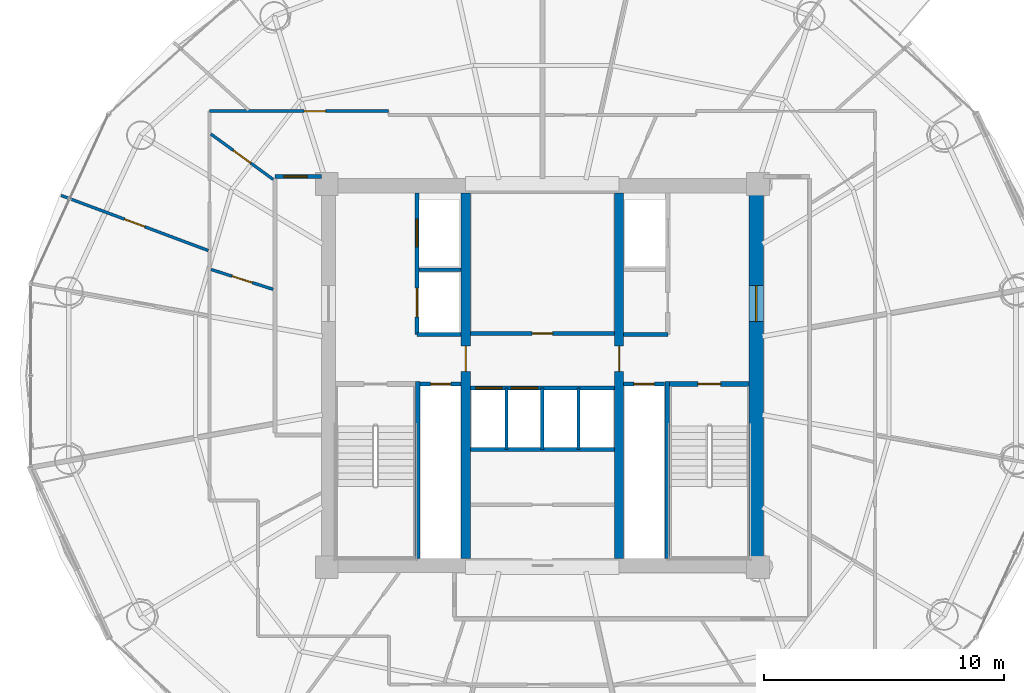
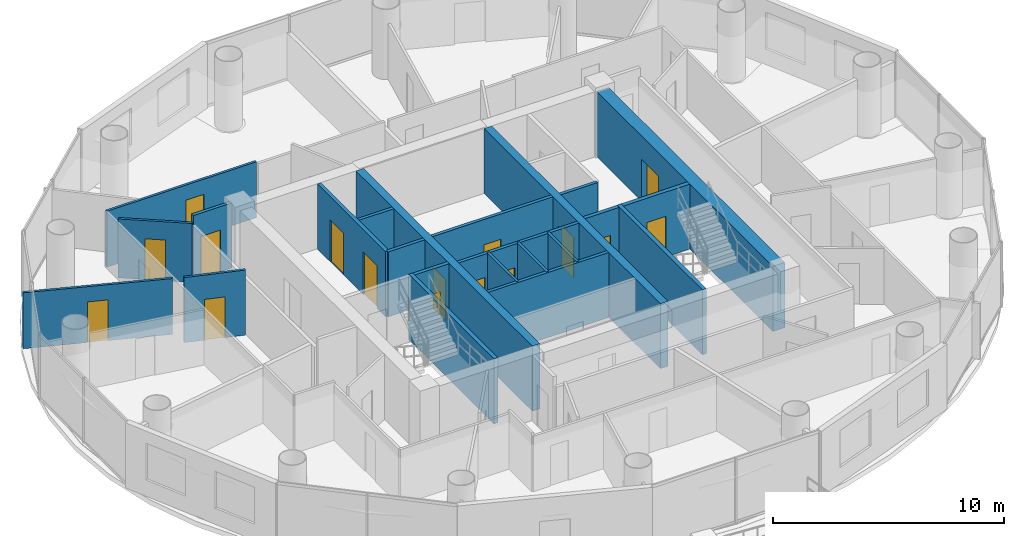
# One storey, part 21 of 27: 23 walls, 16 doors, 16 openings.
"""IFC4 building model written with IfcOpenShell, lengths in metres."""

from ifc_helpers import new_model, si_unit, direction, frame, frame_2d, origin, place, context, subcontext, project, spatial, rectangle, extrude, source, transform, mapped, material, layer, layer_set, type_object, element, fill, save


model = new_model("IFC4")

# Units and contexts
model_context = context("Model", 3, precision=1e-05, world=origin(), true_north=direction((-0.2419218956, 0.970295726276)))
body_context = subcontext(model_context, "Body", "Model", "MODEL_VIEW")
ifc_project = project(units=[si_unit("LENGTHUNIT", "METRE"), si_unit("AREAUNIT", "SQUARE_METRE"), si_unit("VOLUMEUNIT", "CUBIC_METRE"), si_unit("PLANEANGLEUNIT", "RADIAN"), si_unit("MASSUNIT", "GRAM", prefix="KILO")], contexts=[model_context])

# Site, building, storey
site_placement = place(None, origin())
site = spatial("IfcSite", under=ifc_project, at=site_placement, CompositionType="ELEMENT")
building_placement = place(site_placement, origin())
building = spatial("IfcBuilding", under=site, at=building_placement, Name="Cobrevalo Terracotta Tower", CompositionType="ELEMENT")
storey_placement = place(building_placement, frame((0.0, 0.0, 194.89990234375)))
storey = spatial("IfcBuildingStorey", under=building, at=storey_placement, Name="L51", CompositionType="ELEMENT", Elevation=194.89990234375)

# Wall, opening, door
ifc_material_1 = material(Name="Concrete C55", Category="concrete")
ifc_layer_1 = layer(ifc_material_1, 0.60009765625)
ifc_layer_set_1 = layer_set([ifc_layer_1], Name="Concrete C55")
wall_type_1 = type_object("IfcWallType", Name="Core shear wall 600 mm Concrete C55", PredefinedType="SHEAR", material=ifc_layer_set_1)
wall_1_placement = place(storey_placement, frame((46.925048828125, 19.175048828125, 0.0), z_axis=(0.0, 0.0, 1.0), x_axis=(0.0, 1.0, 0.0)))
wall_1 = element("IfcWall", 1, at=wall_1_placement, inside=storey, type_object=wall_type_1, Name="L51 east core shear wall", PredefinedType="SHEAR", context=body_context, shape_type="SweptSolid", body=[
    extrude(rectangle(XDim=15.25, YDim=0.60009765625, at=frame_2d((7.625, 0.0))), origin(), (0.0, 0.0, 1.0), 3.43505859375),
])
opening_1_placement = place(wall_1_placement, frame((9.875, 0.0, 0.0)))
opening_1 = element("IfcOpeningElement", 2, at=opening_1_placement, cuts=wall_1, Name="Opening ID-14", PredefinedType="OPENING", context=body_context, shape_type="SweptSolid", body=[
    extrude(rectangle(XDim=1.5, YDim=2.199951171875, at=frame_2d((0.75, 1.10009765625))), frame((0.0, 0.31005859375, 0.0), z_axis=(0.0, -1.0, 0.0), x_axis=(1.0, 0.0, 0.0)), (0.0, 0.0, 1.0), 0.6201171875),
])
ifc_material_2 = material(Name="Galvanized fire-rated steel", Category="steel")
door_type_1 = type_object("IfcDoorType", Name="Core cross-lobby double fire door 1500x2200 EI 90", OperationType="NOTDEFINED", PredefinedType="DOOR", material=ifc_material_2)
shared_shape_1 = source(origin(), body_context, "Body", "SweptSolid", [
    extrude(rectangle(XDim=1.5, YDim=2.199951171875, at=frame_2d((0.75, 1.10009765625))), frame((0.0, 0.02490234375, 0.0), z_axis=(0.0, -1.0, 0.0), x_axis=(1.0, 0.0, 0.0)), (0.0, 0.0, 1.0), 0.050048828125),
])
door_1_placement = place(opening_1_placement, frame((1.5, 0.0, 0.0), z_axis=(0.0, 0.0, 1.0), x_axis=(-1.0, 0.0, 0.0)))
door_1 = element("IfcDoor", 3, at=door_1_placement, inside=storey, type_object=door_type_1, Name="L51 east firefighting lobby entrance door", OperationType="DOUBLE_DOOR_SINGLE_SWING", OverallHeight=2.199951171875, OverallWidth=1.5, PredefinedType="DOOR", context=body_context, shape_type="MappedRepresentation", body=[
    mapped(shared_shape_1, transform((0.0, 0.0, 0.0), scale=1.0)),
])
fill(opening_1, door_1)

# Walls
ifc_material_3 = material(Name="Gypsum board on steel stud", Category="steel")
ifc_layer_2 = layer(ifc_material_3, 0.159912109375)
ifc_layer_set_2 = layer_set([ifc_layer_2], Name="Gypsum board on steel stud")
wall_type_2 = type_object("IfcWallType", Name="Fire-rated corridor acoustic partition wall 160 mm", PredefinedType="PARTITIONING", material=ifc_layer_set_2)
wall_2_placement = place(storey_placement, frame((32.860107421875, 31.219970703125, 0.0), z_axis=(0.0, 0.0, 1.0), x_axis=(1.0, 0.0, 0.0)))
element("IfcWall", 4, at=wall_2_placement, inside=storey, type_object=wall_type_2, Name="L51 interior partition IW-L51-FF1-M", PredefinedType="PARTITIONING", context=body_context, shape_type="SweptSolid", body=[
    extrude(rectangle(XDim=1.75, YDim=0.159912109375, at=frame_2d((0.875, 0.0))), origin(), (0.0, 0.0, 1.0), 3.43505859375),
])
for number, where, z_axis, x_axis, name in (
    (5, (32.77001953125, 28.52001953125, 0.0), (0.0, 0.0, 1.0), (1.0, 0.0, 0.0), "L51 interior partition IW-L51-FF1-S"),
    (6, (41.389892578125, 28.52001953125, 0.0), (0.0, 0.0, 1.0), (1.0, 0.0, 0.0), "L51 interior partition IW-L51-FF2-S"),
):
    element("IfcWall", number, at=place(storey_placement, frame(where, z_axis=z_axis, x_axis=x_axis)), inside=storey, type_object=wall_type_2, Name=name, PredefinedType="PARTITIONING", context=body_context, shape_type="SweptSolid", body=[
        extrude(rectangle(XDim=1.840087890625, YDim=0.159912109375, at=frame_2d((0.919921875, 0.0))), origin(), (0.0, 0.0, 1.0), 3.43505859375),
    ])

# Wall, opening, door
wall_3_placement = place(storey_placement, frame((34.989990234375, 28.56005859375, 0.0), z_axis=(0.0, 0.0, 1.0), x_axis=(1.0, 0.0, 0.0)))
wall_3 = element("IfcWall", 7, at=wall_3_placement, inside=storey, type_object=wall_type_2, Name="L51 interior partition IW-L51-LB-S", PredefinedType="PARTITIONING", context=body_context, shape_type="SweptSolid", body=[
    extrude(rectangle(XDim=6.02001953125, YDim=0.159912109375, at=frame_2d((3.010009765625, 0.0))), origin(), (0.0, 0.0, 1.0), 3.43505859375),
])
opening_2_placement = place(wall_3_placement, frame((2.5849609375, 0.0, 0.0)))
opening_2 = element("IfcOpeningElement", 8, at=opening_2_placement, cuts=wall_3, Name="Opening ID-22", PredefinedType="OPENING", context=body_context, shape_type="SweptSolid", body=[
    extrude(rectangle(XDim=0.85009765625, YDim=2.10009765625, at=frame_2d((0.425048828125, 1.050048828125))), frame((0.0, 0.08984375, 0.0), z_axis=(0.0, -1.0, 0.0), x_axis=(1.0, 0.0, 0.0)), (0.0, 0.0, 1.0), 0.179931640625),
])
ifc_material_4 = material(Name="Powder-coated steel", Category="steel")
door_type_2 = type_object("IfcDoorType", Name="Riser shaft & meter closet fire access door 850x2100 EI 60", OperationType="NOTDEFINED", PredefinedType="DOOR", material=ifc_material_4)
shared_shape_2 = source(origin(), body_context, "Body", "SweptSolid", [
    extrude(rectangle(XDim=0.85009765625, YDim=2.10009765625, at=frame_2d((0.425048828125, 1.050048828125))), frame((0.0, 0.02490234375, 0.0), z_axis=(0.0, -1.0, 0.0), x_axis=(1.0, 0.0, 0.0)), (0.0, 0.0, 1.0), 0.050048828125),
])
door_2_placement = place(opening_2_placement, origin())
door_2 = element("IfcDoor", 9, at=door_2_placement, inside=storey, type_object=door_type_2, Name="L51 core service door Floor Electrical Switchroom", OperationType="SINGLE_SWING_LEFT", OverallHeight=2.10009765625, OverallWidth=0.85009765625, PredefinedType="DOOR", context=body_context, shape_type="MappedRepresentation", body=[
    mapped(shared_shape_2, transform((0.0, 0.0, 0.0), scale=1.0)),
])
fill(opening_2, door_2)

# Wall, openings, doors
wall_4_placement = place(storey_placement, frame((34.989990234375, 26.280029296875, 0.0), z_axis=(0.0, 0.0, 1.0), x_axis=(1.0, 0.0, 0.0)))
wall_4 = element("IfcWall", 10, at=wall_4_placement, inside=storey, type_object=wall_type_2, Name="L51 interior partition IW-L51-MB-N", PredefinedType="PARTITIONING", context=body_context, shape_type="SweptSolid", body=[
    extrude(rectangle(XDim=6.02001953125, YDim=0.159912109375, at=frame_2d((3.010009765625, 0.0))), origin(), (0.0, 0.0, 1.0), 3.43505859375),
])
opening_3_placement = place(wall_4_placement, frame((0.22509765625, 0.0, 0.0)))
opening_3 = element("IfcOpeningElement", 11, at=opening_3_placement, cuts=wall_4, Name="Opening LD-01", PredefinedType="OPENING", context=body_context, shape_type="SweptSolid", body=[
    extrude(rectangle(XDim=1.10009765625, YDim=2.199951171875, at=frame_2d((0.550048828125, 1.10009765625))), frame((0.0, 0.08984375, 0.0), z_axis=(0.0, -1.0, 0.0), x_axis=(1.0, 0.0, 0.0)), (0.0, 0.0, 1.0), 0.179931640625),
])
opening_4_placement = place(wall_4_placement, frame((1.705078125, 0.0, 0.0)))
opening_4 = element("IfcOpeningElement", 12, at=opening_4_placement, cuts=wall_4, Name="Opening LD-01", PredefinedType="OPENING", context=body_context, shape_type="SweptSolid", body=[
    extrude(rectangle(XDim=1.10009765625, YDim=2.199951171875, at=frame_2d((0.550048828125, 1.10009765625))), frame((0.0, 0.08984375, 0.0), z_axis=(0.0, -1.0, 0.0), x_axis=(1.0, 0.0, 0.0)), (0.0, 0.0, 1.0), 0.179931640625),
])
ifc_material_5 = material(Name="Brushed stainless steel", Category="steel")
door_type_3 = type_object("IfcDoorType", Name="Passenger lift landing bi-parting sliding door 1100x2200 EI 90", OperationType="DOUBLE_DOOR_SLIDING", PredefinedType="DOOR", material=ifc_material_5)
shared_shape_3 = source(origin(), body_context, "Body", "SweptSolid", [
    extrude(rectangle(XDim=1.10009765625, YDim=2.199951171875, at=frame_2d((0.550048828125, 1.10009765625))), frame((0.0, 0.02490234375, 0.0), z_axis=(0.0, -1.0, 0.0), x_axis=(1.0, 0.0, 0.0)), (0.0, 0.0, 1.0), 0.050048828125),
])
door_3_placement = place(opening_3_placement, origin())
door_3 = element("IfcDoor", 13, at=door_3_placement, inside=storey, type_object=door_type_3, Name="L51 lift landing door PL-M1", OperationType="DOUBLE_DOOR_SLIDING", OverallHeight=2.199951171875, OverallWidth=1.10009765625, PredefinedType="DOOR", context=body_context, shape_type="MappedRepresentation", body=[
    mapped(shared_shape_3, transform((0.0, 0.0, 0.0), scale=1.0)),
])
fill(opening_3, door_3)
door_4_placement = place(opening_4_placement, origin())
door_4 = element("IfcDoor", 14, at=door_4_placement, inside=storey, type_object=door_type_3, Name="L51 lift landing door PL-M2", OperationType="DOUBLE_DOOR_SLIDING", OverallHeight=2.199951171875, OverallWidth=1.10009765625, PredefinedType="DOOR", context=body_context, shape_type="MappedRepresentation", body=[
    mapped(shared_shape_3, transform((0.0, 0.0, 0.0), scale=1.0)),
])
fill(opening_4, door_4)

# Wall
wall_5_placement = place(storey_placement, frame((34.989990234375, 23.719970703125, 0.0), z_axis=(0.0, 0.0, 1.0), x_axis=(1.0, 0.0, 0.0)))
element("IfcWall", 15, at=wall_5_placement, inside=storey, type_object=wall_type_2, Name="L51 interior partition IW-L51-MB-S", PredefinedType="PARTITIONING", context=body_context, shape_type="SweptSolid", body=[
    extrude(rectangle(XDim=6.02001953125, YDim=0.159912109375, at=frame_2d((3.010009765625, 0.0))), origin(), (0.0, 0.0, 1.0), 3.43505859375),
])

# Wall, opening, door
wall_6_placement = place(storey_placement, frame((26.844970703125, 35.10498046875, 0.0), z_axis=(0.0, 0.0, 1.0), x_axis=(1.0, 0.0, 0.0)))
wall_6 = element("IfcWall", 16, at=wall_6_placement, inside=storey, type_object=wall_type_2, Name="L51 interior partition IW-L51-COR-WN-CAP", PredefinedType="PARTITIONING", context=body_context, shape_type="SweptSolid", body=[
    extrude(rectangle(XDim=1.929931640625, YDim=0.159912109375, at=frame_2d((0.96484375, 0.0))), origin(), (0.0, 0.0, 1.0), 3.43505859375),
])
opening_5_placement = place(wall_6_placement, frame((0.3701171875, 0.0, 0.0)))
opening_5 = element("IfcOpeningElement", 17, at=opening_5_placement, cuts=wall_6, Name="Opening ID-05", PredefinedType="OPENING", context=body_context, shape_type="SweptSolid", body=[
    extrude(rectangle(XDim=0.97998046875, YDim=2.199951171875, at=frame_2d((0.489990234375, 1.10009765625))), frame((0.0, 0.08984375, 0.0), z_axis=(0.0, -1.0, 0.0), x_axis=(1.0, 0.0, 0.0)), (0.0, 0.0, 1.0), 0.179931640625),
])
ifc_material_6 = material(Name="Solid hardwood timber", Category="wood")
door_type_4 = type_object("IfcDoorType", Name="Residence entrance fire-rated acoustic timber door 980x2200 EI 60", OperationType="NOTDEFINED", PredefinedType="DOOR", material=ifc_material_6)
shared_shape_4 = source(origin(), body_context, "Body", "SweptSolid", [
    extrude(rectangle(XDim=0.97998046875, YDim=2.199951171875, at=frame_2d((0.489990234375, 1.10009765625))), frame((0.0, 0.02490234375, 0.0), z_axis=(0.0, -1.0, 0.0), x_axis=(1.0, 0.0, 0.0)), (0.0, 0.0, 1.0), 0.050048828125),
])
door_5_placement = place(opening_5_placement, origin())
door_5 = element("IfcDoor", 18, at=door_5_placement, inside=storey, type_object=door_type_4, Name="Flat L51B fire-rated apartment entrance door", OperationType="SINGLE_SWING_LEFT", OverallHeight=2.199951171875, OverallWidth=0.97998046875, PredefinedType="DOOR", context=body_context, shape_type="MappedRepresentation", body=[
    mapped(shared_shape_4, transform((0.0, 0.0, 0.0), scale=1.0)),
])
fill(opening_5, door_5)

ifc_layer_3 = layer(ifc_material_3, 0.179931640625)
ifc_layer_set_3 = layer_set([ifc_layer_3], Name="Gypsum board on steel stud")
wall_type_3 = type_object("IfcWallType", Name="Fire-rated shaft & lobby acoustic partition wall 180 mm", PredefinedType="PARTITIONING", material=ifc_layer_set_3)
wall_7_placement = place(storey_placement, frame((32.89990234375, 26.449951171875, 0.0), z_axis=(0.0, 0.0, 1.0), x_axis=(1.0, 0.0, 0.0)))
wall_7 = element("IfcWall", 19, at=wall_7_placement, inside=storey, type_object=wall_type_3, Name="L51 interior partition IW-L51-RSW-N", PredefinedType="PARTITIONING", context=body_context, shape_type="SweptSolid", body=[
    extrude(rectangle(XDim=1.710205078125, YDim=0.179931640625, at=frame_2d((0.85498046875, 0.0))), origin(), (0.0, 0.0, 1.0), 3.43505859375),
])
opening_6_placement = place(wall_7_placement, frame((0.429931640625, 0.0, 0.0)))
opening_6 = element("IfcOpeningElement", 20, at=opening_6_placement, cuts=wall_7, Name="Opening ID-22", PredefinedType="OPENING", context=body_context, shape_type="SweptSolid", body=[
    extrude(rectangle(XDim=0.85009765625, YDim=2.10009765625, at=frame_2d((0.425048828125, 1.050048828125))), frame((0.0, 0.10009765625, 0.0), z_axis=(0.0, -1.0, 0.0), x_axis=(1.0, 0.0, 0.0)), (0.0, 0.0, 1.0), 0.199951171875),
])
door_6_placement = place(opening_6_placement, origin())
door_6 = element("IfcDoor", 21, at=door_6_placement, inside=storey, type_object=door_type_2, Name="L51 riser access door RSW", OperationType="SINGLE_SWING_LEFT", OverallHeight=2.10009765625, OverallWidth=0.85009765625, PredefinedType="DOOR", context=body_context, shape_type="MappedRepresentation", body=[
    mapped(shared_shape_2, transform((0.0, 0.0, 0.0), scale=1.0)),
])
fill(opening_6, door_6)

wall_8_placement = place(storey_placement, frame((41.389892578125, 26.449951171875, 0.0), z_axis=(0.0, 0.0, 1.0), x_axis=(1.0, 0.0, 0.0)))
wall_8 = element("IfcWall", 22, at=wall_8_placement, inside=storey, type_object=wall_type_3, Name="L51 interior partition IW-L51-RSE-N", PredefinedType="PARTITIONING", context=body_context, shape_type="SweptSolid", body=[
    extrude(rectangle(XDim=1.710205078125, YDim=0.179931640625, at=frame_2d((0.85498046875, 0.0))), origin(), (0.0, 0.0, 1.0), 3.43505859375),
])
opening_7_placement = place(wall_8_placement, frame((0.429931640625, 0.0, 0.0)))
opening_7 = element("IfcOpeningElement", 23, at=opening_7_placement, cuts=wall_8, Name="Opening ID-22", PredefinedType="OPENING", context=body_context, shape_type="SweptSolid", body=[
    extrude(rectangle(XDim=0.85009765625, YDim=2.10009765625, at=frame_2d((0.425048828125, 1.050048828125))), frame((0.0, 0.10009765625, 0.0), z_axis=(0.0, -1.0, 0.0), x_axis=(1.0, 0.0, 0.0)), (0.0, 0.0, 1.0), 0.199951171875),
])
door_7_placement = place(opening_7_placement, origin())
door_7 = element("IfcDoor", 24, at=door_7_placement, inside=storey, type_object=door_type_2, Name="L51 riser access door RSE", OperationType="SINGLE_SWING_RIGHT", OverallHeight=2.10009765625, OverallWidth=0.85009765625, PredefinedType="DOOR", context=body_context, shape_type="MappedRepresentation", body=[
    mapped(shared_shape_2, transform((0.0, 0.0, 0.0), scale=1.0)),
])
fill(opening_7, door_7)

# Wall, openings, doors
wall_9_placement = place(storey_placement, frame((32.77001953125, 28.52001953125, 0.0), z_axis=(0.0, 0.0, 1.0), x_axis=(0.0, 1.0, 0.0)))
wall_9 = element("IfcWall", 25, at=wall_9_placement, inside=storey, type_object=wall_type_3, Name="L51 interior partition IW-L51-FF1-W", PredefinedType="PARTITIONING", context=body_context, shape_type="SweptSolid", body=[
    extrude(rectangle(XDim=5.905029296875, YDim=0.179931640625, at=frame_2d((2.95263671875, 0.0))), origin(), (0.0, 0.0, 1.0), 3.43505859375),
])
opening_8_placement = place(wall_9_placement, frame((3.655029296875, 0.0, 0.0)))
opening_8 = element("IfcOpeningElement", 26, at=opening_8_placement, cuts=wall_9, Name="Opening LD-02", PredefinedType="OPENING", context=body_context, shape_type="SweptSolid", body=[
    extrude(rectangle(XDim=1.14990234375, YDim=2.199951171875, at=frame_2d((0.574951171875, 1.10009765625))), frame((0.0, 0.10009765625, 0.0), z_axis=(0.0, -1.0, 0.0), x_axis=(1.0, 0.0, 0.0)), (0.0, 0.0, 1.0), 0.199951171875),
])
opening_9_placement = place(wall_9_placement, frame((0.72998046875, 0.0, 0.0)))
opening_9 = element("IfcOpeningElement", 27, at=opening_9_placement, cuts=wall_9, Name="Opening LD-03", PredefinedType="OPENING", context=body_context, shape_type="SweptSolid", body=[
    extrude(rectangle(XDim=1.199951171875, YDim=2.25, at=frame_2d((0.60009765625, 1.125))), frame((0.0, 0.10009765625, 0.0), z_axis=(0.0, -1.0, 0.0), x_axis=(1.0, 0.0, 0.0)), (0.0, 0.0, 1.0), 0.199951171875),
])
door_type_5 = type_object("IfcDoorType", Name="Firefighting lift landing bi-parting sliding door 1150x2200 EI 120", OperationType="DOUBLE_DOOR_SLIDING", PredefinedType="DOOR", material=ifc_material_5)
shared_shape_5 = source(origin(), body_context, "Body", "SweptSolid", [
    extrude(rectangle(XDim=1.14990234375, YDim=2.199951171875, at=frame_2d((0.574951171875, 1.10009765625))), frame((0.0, 0.02490234375, 0.0), z_axis=(0.0, -1.0, 0.0), x_axis=(1.0, 0.0, 0.0)), (0.0, 0.0, 1.0), 0.050048828125),
])
door_8_placement = place(opening_8_placement, origin())
door_8 = element("IfcDoor", 28, at=door_8_placement, inside=storey, type_object=door_type_5, Name="L51 lift landing door FF-1", OperationType="DOUBLE_DOOR_SLIDING", OverallHeight=2.199951171875, OverallWidth=1.14990234375, PredefinedType="DOOR", context=body_context, shape_type="MappedRepresentation", body=[
    mapped(shared_shape_5, transform((0.0, 0.0, 0.0), scale=1.0)),
])
fill(opening_8, door_8)
door_type_6 = type_object("IfcDoorType", Name="Service lift landing bi-parting sliding door 1200x2250 EI 120", OperationType="DOUBLE_DOOR_SLIDING", PredefinedType="DOOR", material=ifc_material_5)
shared_shape_6 = source(origin(), body_context, "Body", "SweptSolid", [
    extrude(rectangle(XDim=1.199951171875, YDim=2.25, at=frame_2d((0.60009765625, 1.125))), frame((0.0, 0.02490234375, 0.0), z_axis=(0.0, -1.0, 0.0), x_axis=(1.0, 0.0, 0.0)), (0.0, 0.0, 1.0), 0.050048828125),
])
door_9_placement = place(opening_9_placement, origin())
door_9 = element("IfcDoor", 29, at=door_9_placement, inside=storey, type_object=door_type_6, Name="L51 lift landing door SV-1", OperationType="DOUBLE_DOOR_SLIDING", OverallHeight=2.25, OverallWidth=1.199951171875, PredefinedType="DOOR", context=body_context, shape_type="MappedRepresentation", body=[
    mapped(shared_shape_6, transform((0.0, 0.0, 0.0), scale=1.0)),
])
fill(opening_9, door_9)

# Walls
ifc_material_7 = material(Name="Autoclaved aerated concrete block", Category="concrete")
ifc_layer_4 = layer(ifc_material_7, 0.1201171875)
ifc_layer_set_4 = layer_set([ifc_layer_4], Name="Autoclaved aerated concrete block")
wall_type_4 = type_object("IfcWallType", Name="Fire-rated wet-room & core service partition 120 mm", PredefinedType="PARTITIONING", material=ifc_layer_set_4)
for number, where, z_axis, x_axis, name in (
    (30, (36.5, 23.719970703125, 0.0), (0.0, 0.0, 1.0), (0.0, 1.0, 0.0), "L51 interior partition IW-L51-MB-D1"),
    (31, (39.5, 23.719970703125, 0.0), (0.0, 0.0, 1.0), (0.0, 1.0, 0.0), "L51 interior partition IW-L51-MB-D3"),
):
    element("IfcWall", number, at=place(storey_placement, frame(where, z_axis=z_axis, x_axis=x_axis)), inside=storey, type_object=wall_type_4, Name=name, PredefinedType="PARTITIONING", context=body_context, shape_type="SweptSolid", body=[
        extrude(rectangle(XDim=2.56005859375, YDim=0.1201171875, at=frame_2d((1.280029296875, 0.0))), origin(), (0.0, 0.0, 1.0), 3.43505859375),
    ])

# Wall, opening, door
ifc_material_8 = material(Name="Concrete C50", Category="concrete")
ifc_layer_5 = layer(ifc_material_8, 0.3798828125)
ifc_layer_set_5 = layer_set([ifc_layer_5], Name="Concrete C50")
wall_type_5 = type_object("IfcWallType", Name="Internal core shear web wall 380 mm Concrete C50", PredefinedType="SHEAR", material=ifc_layer_set_5)
wall_10_placement = place(storey_placement, frame((34.800048828125, 19.175048828125, 0.0), z_axis=(0.0, 0.0, 1.0), x_axis=(0.0, 1.0, 0.0)))
wall_10 = element("IfcWall", 32, at=wall_10_placement, inside=storey, type_object=wall_type_5, Name="L51 internal core shear wall WEB-W", PredefinedType="SHEAR", context=body_context, shape_type="SweptSolid", body=[
    extrude(rectangle(XDim=15.25, YDim=0.3798828125, at=frame_2d((7.625, 0.0))), origin(), (0.0, 0.0, 1.0), 3.43505859375),
])
opening_10_placement = place(wall_10_placement, frame((7.800048828125, 0.0, 0.0)))
opening_10 = element("IfcOpeningElement", 33, at=opening_10_placement, cuts=wall_10, Name="Opening ID-11", PredefinedType="OPENING", context=body_context, shape_type="SweptSolid", body=[
    extrude(rectangle(XDim=1.050048828125, YDim=2.14990234375, at=frame_2d((0.52490234375, 1.074951171875))), frame((0.0, 0.199951171875, 0.0), z_axis=(0.0, -1.0, 0.0), x_axis=(1.0, 0.0, 0.0)), (0.0, 0.0, 1.0), 0.39990234375),
])
door_type_7 = type_object("IfcDoorType", Name="Core concourse cross fire door 1050x2150 EI 90", OperationType="NOTDEFINED", PredefinedType="DOOR", material=ifc_material_2)
shared_shape_7 = source(origin(), body_context, "Body", "SweptSolid", [
    extrude(rectangle(XDim=1.050048828125, YDim=2.14990234375, at=frame_2d((0.52490234375, 1.074951171875))), frame((0.0, 0.02490234375, 0.0), z_axis=(0.0, -1.0, 0.0), x_axis=(1.0, 0.0, 0.0)), (0.0, 0.0, 1.0), 0.050048828125),
])
door_10_placement = place(opening_10_placement, origin())
door_10 = element("IfcDoor", 34, at=door_10_placement, inside=storey, type_object=door_type_7, Name="L51 west core concourse cross door", OperationType="SINGLE_SWING_LEFT", OverallHeight=2.14990234375, OverallWidth=1.050048828125, PredefinedType="DOOR", context=body_context, shape_type="MappedRepresentation", body=[
    mapped(shared_shape_7, transform((0.0, 0.0, 0.0), scale=1.0)),
])
fill(opening_10, door_10)

wall_11_placement = place(storey_placement, frame((41.199951171875, 19.175048828125, 0.0), z_axis=(0.0, 0.0, 1.0), x_axis=(0.0, 1.0, 0.0)))
wall_11 = element("IfcWall", 35, at=wall_11_placement, inside=storey, type_object=wall_type_5, Name="L51 internal core shear wall WEB-E", PredefinedType="SHEAR", context=body_context, shape_type="SweptSolid", body=[
    extrude(rectangle(XDim=15.25, YDim=0.3798828125, at=frame_2d((7.625, 0.0))), origin(), (0.0, 0.0, 1.0), 3.43505859375),
])
opening_11_placement = place(wall_11_placement, frame((7.800048828125, 0.0, 0.0)))
opening_11 = element("IfcOpeningElement", 36, at=opening_11_placement, cuts=wall_11, Name="Opening ID-11", PredefinedType="OPENING", context=body_context, shape_type="SweptSolid", body=[
    extrude(rectangle(XDim=1.050048828125, YDim=2.14990234375, at=frame_2d((0.52490234375, 1.074951171875))), frame((0.0, 0.199951171875, 0.0), z_axis=(0.0, -1.0, 0.0), x_axis=(1.0, 0.0, 0.0)), (0.0, 0.0, 1.0), 0.39990234375),
])
door_11_placement = place(opening_11_placement, frame((1.050048828125, 0.0, 0.0), z_axis=(0.0, 0.0, 1.0), x_axis=(-1.0, 0.0, 0.0)))
door_11 = element("IfcDoor", 37, at=door_11_placement, inside=storey, type_object=door_type_7, Name="L51 east core concourse cross door", OperationType="SINGLE_SWING_RIGHT", OverallHeight=2.14990234375, OverallWidth=1.050048828125, PredefinedType="DOOR", context=body_context, shape_type="MappedRepresentation", body=[
    mapped(shared_shape_7, transform((0.0, 0.0, 0.0), scale=1.0)),
])
fill(opening_11, door_11)

# Wall
ifc_layer_6 = layer(ifc_material_7, 0.139892578125)
ifc_layer_set_6 = layer_set([ifc_layer_6], Name="Autoclaved aerated concrete block")
wall_type_6 = type_object("IfcWallType", Name="Moisture-resistant wet-room & core service partition 140 mm", PredefinedType="PARTITIONING", material=ifc_layer_set_6)
wall_12_placement = place(storey_placement, frame((38.0, 23.719970703125, 0.0), z_axis=(0.0, 0.0, 1.0), x_axis=(0.0, 1.0, 0.0)))
element("IfcWall", 38, at=wall_12_placement, inside=storey, type_object=wall_type_6, Name="L51 interior partition IW-L51-MB-D2", PredefinedType="PARTITIONING", context=body_context, shape_type="SweptSolid", body=[
    extrude(rectangle(XDim=2.56005859375, YDim=0.139892578125, at=frame_2d((1.280029296875, 0.0))), origin(), (0.0, 0.0, 1.0), 3.43505859375),
])

# Wall, opening, door
ifc_layer_7 = layer(ifc_material_3, 0.1201171875)
ifc_layer_set_7 = layer_set([ifc_layer_7], Name="Gypsum board on steel stud")
wall_type_7 = type_object("IfcWallType", Name="Residential internal acoustic stud partition 120 mm", PredefinedType="PARTITIONING", material=ifc_layer_set_7)
wall_13_placement = place(storey_placement, frame((24.114990234375, 37.8349609375, 0.0), z_axis=(0.0, 0.0, 1.0), x_axis=(1.0, 0.0, 0.0)))
wall_13 = element("IfcWall", 39, at=wall_13_placement, inside=storey, type_object=wall_type_7, Name="L51 interior partition IW-L51-U2-RING1_0", PredefinedType="PARTITIONING", context=body_context, shape_type="SweptSolid", body=[
    extrude(rectangle(XDim=7.469970703125, YDim=0.1201171875, at=frame_2d((3.73486328125, 0.0))), origin(), (0.0, 0.0, 1.0), 2.951171875),
])
opening_12_placement = place(wall_13_placement, frame((3.94287109375, 0.0, 0.0)))
opening_12 = element("IfcOpeningElement", 40, at=opening_12_placement, cuts=wall_13, Name="Opening ID-12", PredefinedType="OPENING", context=body_context, shape_type="SweptSolid", body=[
    extrude(rectangle(XDim=0.89990234375, YDim=2.14990234375, at=frame_2d((0.449951171875, 1.074951171875))), frame((0.0, 0.070068359375, 0.0), z_axis=(0.0, -1.0, 0.0), x_axis=(1.0, 0.0, 0.0)), (0.0, 0.0, 1.0), 0.14013671875),
])
ifc_material_9 = material(Name="Engineered timber", Category="wood")
door_type_8 = type_object("IfcDoorType", Name="Internal residence & suite timber door 900x2150", OperationType="NOTDEFINED", PredefinedType="DOOR", material=ifc_material_9)
shared_shape_8 = source(origin(), body_context, "Body", "SweptSolid", [
    extrude(rectangle(XDim=0.89990234375, YDim=2.14990234375, at=frame_2d((0.449951171875, 1.074951171875))), frame((0.0, 0.02490234375, 0.0), z_axis=(0.0, -1.0, 0.0), x_axis=(1.0, 0.0, 0.0)), (0.0, 0.0, 1.0), 0.050048828125),
])
door_12_placement = place(opening_12_placement, origin())
door_12 = element("IfcDoor", 41, at=door_12_placement, inside=storey, type_object=door_type_8, Name="Flat L51B Penthouse Living and Dining Room internal door", OperationType="SINGLE_SWING_LEFT", OverallHeight=2.14990234375, OverallWidth=0.89990234375, PredefinedType="DOOR", context=body_context, shape_type="MappedRepresentation", body=[
    mapped(shared_shape_8, transform((0.0, 0.0, 0.0), scale=1.0)),
])
fill(opening_12, door_12)

wall_14_placement = place(storey_placement, frame((24.056884765625, 32.01904296875, 0.0), z_axis=(0.0, 0.0, 1.0), x_axis=(-0.936540194592, 0.350560214389, 0.0)))
wall_14 = element("IfcWall", 42, at=wall_14_placement, inside=storey, type_object=wall_type_7, Name="L51 interior partition IW-L51-U2-ORAD2", PredefinedType="PARTITIONING", context=body_context, shape_type="SweptSolid", body=[
    extrude(rectangle(XDim=6.55615234375, YDim=0.1201171875, at=frame_2d((3.278076171875, 0.0))), origin(), (0.0, 0.0, 1.0), 2.951171875),
])
opening_13_placement = place(wall_14_placement, frame((2.828125, 0.0, 0.0)))
opening_13 = element("IfcOpeningElement", 43, at=opening_13_placement, cuts=wall_14, Name="Opening ID-12", PredefinedType="OPENING", context=body_context, shape_type="SweptSolid", body=[
    extrude(rectangle(XDim=0.89990234375, YDim=2.14990234375, at=frame_2d((0.449951171875, 1.074951171875))), frame((0.0, 0.070068359375, 0.0), z_axis=(0.0, -1.0, 0.0), x_axis=(1.0, 0.0, 0.0)), (0.0, 0.0, 1.0), 0.14013671875),
])
door_13_placement = place(opening_13_placement, origin())
door_13 = element("IfcDoor", 44, at=door_13_placement, inside=storey, type_object=door_type_8, Name="Flat L51B Principal Guest Bedroom internal door", OperationType="SINGLE_SWING_LEFT", OverallHeight=2.14990234375, OverallWidth=0.89990234375, PredefinedType="DOOR", context=body_context, shape_type="MappedRepresentation", body=[
    mapped(shared_shape_8, transform((0.0, 0.0, 0.0), scale=1.0)),
])
fill(opening_13, door_13)

wall_15_placement = place(storey_placement, frame((26.764892578125, 34.986083984375, 0.0), z_axis=(0.0, 0.0, 1.0), x_axis=(-0.808220499107, 0.588879974887, 0.0)))
wall_15 = element("IfcWall", 45, at=wall_15_placement, inside=storey, type_object=wall_type_7, Name="L51 interior partition IW-L51-U2-IRAD2", PredefinedType="PARTITIONING", context=body_context, shape_type="SweptSolid", body=[
    extrude(rectangle(XDim=3.216796875, YDim=0.1201171875, at=frame_2d((1.6083984375, 0.0))), origin(), (0.0, 0.0, 1.0), 3.110107421875),
])
opening_14_placement = place(wall_15_placement, frame((1.158447265625, 0.0, 0.0)))
opening_14 = element("IfcOpeningElement", 46, at=opening_14_placement, cuts=wall_15, Name="Opening ID-12", PredefinedType="OPENING", context=body_context, shape_type="SweptSolid", body=[
    extrude(rectangle(XDim=0.89990234375, YDim=2.14990234375, at=frame_2d((0.449951171875, 1.074951171875))), frame((0.0, 0.070068359375, 0.0), z_axis=(0.0, -1.0, 0.0), x_axis=(1.0, 0.0, 0.0)), (0.0, 0.0, 1.0), 0.14013671875),
])
door_14_placement = place(opening_14_placement, origin())
door_14 = element("IfcDoor", 47, at=door_14_placement, inside=storey, type_object=door_type_8, Name="Flat L51B Kitchen internal door", OperationType="SINGLE_SWING_RIGHT", OverallHeight=2.14990234375, OverallWidth=0.89990234375, PredefinedType="DOOR", context=body_context, shape_type="MappedRepresentation", body=[
    mapped(shared_shape_8, transform((0.0, 0.0, 0.0), scale=1.0)),
])
fill(opening_14, door_14)

wall_16_placement = place(storey_placement, frame((26.764892578125, 30.399658203125, 0.0), z_axis=(0.0, 0.0, 1.0), x_axis=(-0.952315722301, 0.305114347514, 0.0)))
wall_16 = element("IfcWall", 48, at=wall_16_placement, inside=storey, type_object=wall_type_7, Name="L51 interior partition IW-L51-U2-IRAD3", PredefinedType="PARTITIONING", context=body_context, shape_type="SweptSolid", body=[
    extrude(rectangle(XDim=2.720458984375, YDim=0.1201171875, at=frame_2d((1.3603515625, 0.0))), origin(), (0.0, 0.0, 1.0), 3.43505859375),
])
opening_15_placement = place(wall_16_placement, frame((0.910400390625, 0.0, 0.0)))
opening_15 = element("IfcOpeningElement", 49, at=opening_15_placement, cuts=wall_16, Name="Opening ID-12", PredefinedType="OPENING", context=body_context, shape_type="SweptSolid", body=[
    extrude(rectangle(XDim=0.89990234375, YDim=2.14990234375, at=frame_2d((0.449951171875, 1.074951171875))), frame((0.0, 0.070068359375, 0.0), z_axis=(0.0, -1.0, 0.0), x_axis=(1.0, 0.0, 0.0)), (0.0, 0.0, 1.0), 0.14013671875),
])
door_15_placement = place(opening_15_placement, origin())
door_15 = element("IfcDoor", 50, at=door_15_placement, inside=storey, type_object=door_type_8, Name="Flat L51B Home Office Study internal door", OperationType="SINGLE_SWING_LEFT", OverallHeight=2.14990234375, OverallWidth=0.89990234375, PredefinedType="DOOR", context=body_context, shape_type="MappedRepresentation", body=[
    mapped(shared_shape_8, transform((0.0, 0.0, 0.0), scale=1.0)),
])
fill(opening_15, door_15)

# Walls
ifc_layer_8 = layer(ifc_material_8, 0.199951171875)
ifc_layer_set_8 = layer_set([ifc_layer_8], Name="Concrete C50")
wall_type_8 = type_object("IfcWallType", Name="Structural core & podium stair-shaft RC wall 200 mm Concrete C50", PredefinedType="SOLIDWALL", material=ifc_layer_set_8)
for number, where, z_axis, x_axis, name in (
    (51, (32.794921875, 19.175048828125, 0.0), (0.0, 0.0, 1.0), (0.0, 1.0, 0.0), "L51 ST-1 east structural shaft wall"),
    (52, (43.205078125, 19.175048828125, 0.0), (0.0, 0.0, 1.0), (0.0, 1.0, 0.0), "L51 ST-2 west structural shaft wall"),
):
    element("IfcWall", number, at=place(storey_placement, frame(where, z_axis=z_axis, x_axis=x_axis)), inside=storey, type_object=wall_type_8, Name=name, PredefinedType="SOLIDWALL", context=body_context, shape_type="SweptSolid", body=[
        extrude(rectangle(XDim=7.375, YDim=0.199951171875, at=frame_2d((3.6875, 0.0))), origin(), (0.0, 0.0, 1.0), 3.43505859375),
    ])

# Wall, opening, door
wall_17_placement = place(storey_placement, frame((43.304931640625, 26.449951171875, 0.0), z_axis=(0.0, 0.0, 1.0), x_axis=(1.0, 0.0, 0.0)))
wall_17 = element("IfcWall", 53, at=wall_17_placement, inside=storey, type_object=wall_type_8, Name="L51 ST-2 north structural shaft wall", PredefinedType="SOLIDWALL", context=body_context, shape_type="SweptSolid", body=[
    extrude(rectangle(XDim=3.320068359375, YDim=0.199951171875, at=frame_2d((1.66015625, 0.0))), origin(), (0.0, 0.0, 1.0), 3.43505859375),
])
opening_16_placement = place(wall_17_placement, frame((1.18505859375, 0.0, 0.0)))
opening_16 = element("IfcOpeningElement", 54, at=opening_16_placement, cuts=wall_17, Name="Opening ID-04", PredefinedType="OPENING", context=body_context, shape_type="SweptSolid", body=[
    extrude(rectangle(XDim=0.949951171875, YDim=2.14990234375, at=frame_2d((0.47509765625, 1.074951171875))), frame((0.0, 0.10986328125, 0.0), z_axis=(0.0, -1.0, 0.0), x_axis=(1.0, 0.0, 0.0)), (0.0, 0.0, 1.0), 0.219970703125),
])
door_type_9 = type_object("IfcDoorType", Name="Stair & firefighting lobby fire door 950x2150 EI 90", OperationType="NOTDEFINED", PredefinedType="DOOR", material=ifc_material_2)
shared_shape_9 = source(origin(), body_context, "Body", "SweptSolid", [
    extrude(rectangle(XDim=0.949951171875, YDim=2.14990234375, at=frame_2d((0.47509765625, 1.074951171875))), frame((0.0, 0.02490234375, 0.0), z_axis=(0.0, -1.0, 0.0), x_axis=(1.0, 0.0, 0.0)), (0.0, 0.0, 1.0), 0.050048828125),
])
door_16_placement = place(opening_16_placement, frame((0.949951171875, 0.0, 0.0), z_axis=(0.0, 0.0, 1.0), x_axis=(-1.0, 0.0, 0.0)))
door_16 = element("IfcDoor", 55, at=door_16_placement, inside=storey, type_object=door_type_9, Name="L51 protected stair ST2 fire door", OperationType="SINGLE_SWING_RIGHT", OverallHeight=2.14990234375, OverallWidth=0.949951171875, PredefinedType="DOOR", context=body_context, shape_type="MappedRepresentation", body=[
    mapped(shared_shape_9, transform((0.0, 0.0, 0.0), scale=1.0)),
])
fill(opening_16, door_16)

save(model, "model.ifc")
